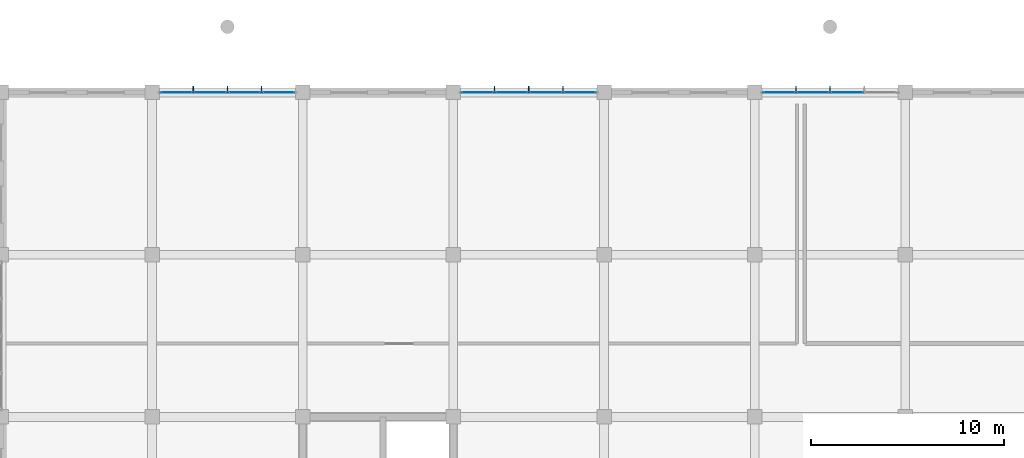
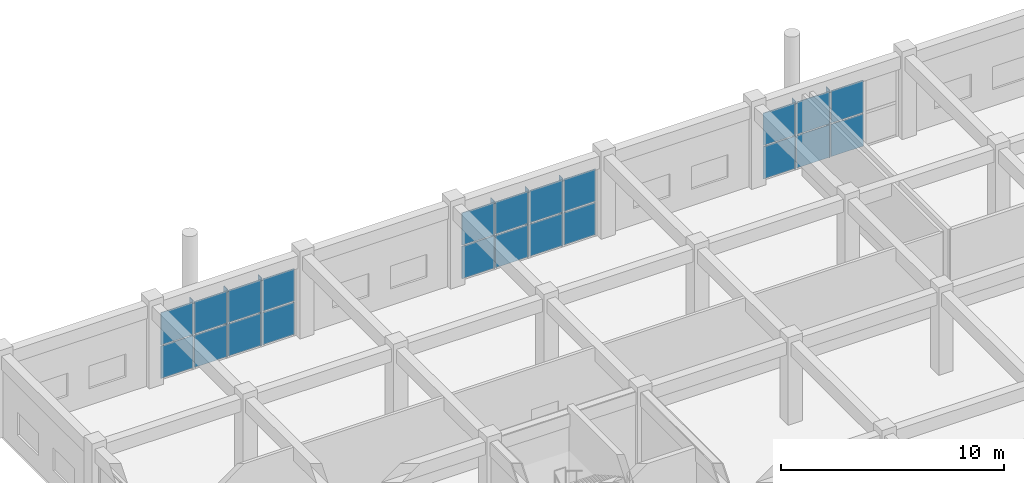
# One storey, part 147 of 167: 30 plates, 3 elements without a shape of their own.
"""IFC4 building model written with IfcOpenShell, lengths in metres."""

from ifc_helpers import new_model, si_unit, direction, frame, origin, origin_2d, place, context, subcontext, project, spatial, polyline, rectangle, outline, extrude, material, layer, layer_set, type_object, element, aggregate, save


model = new_model("IFC4")

# Units and contexts
model_context = context("Model", 3, precision=1e-05, world=origin(), true_north=direction((0.0, 1.0)))
body_context = subcontext(model_context, "Body", "Model", "MODEL_VIEW")
ifc_project = project(units=[si_unit("LENGTHUNIT", "METRE"), si_unit("AREAUNIT", "SQUARE_METRE"), si_unit("VOLUMEUNIT", "CUBIC_METRE"), si_unit("PLANEANGLEUNIT", "RADIAN"), si_unit("MASSUNIT", "GRAM", prefix="KILO")], contexts=[model_context])

# Site, building, storey
site_placement = place(None, origin())
site = spatial("IfcSite", under=ifc_project, at=site_placement, CompositionType="ELEMENT")
building_placement = place(site_placement, origin())
building = spatial("IfcBuilding", under=site, at=building_placement, Name="Zizhar Promenade General Hospital", CompositionType="ELEMENT")
storey_placement = place(building_placement, frame((0.0, 0.0, 9.60009765625)))
storey = spatial("IfcBuildingStorey", under=building, at=storey_placement, Name="L02", CompositionType="ELEMENT", Elevation=9.60009765625)

# Curtain wall, plates
ifc_material_1 = material(Name="Anodised aluminium 6063-T6 and low-E glass", Category="aluminium")
ifc_layer_1 = layer(ifc_material_1, 0.159912109375)
ifc_layer_set_1 = layer_set([ifc_layer_1], Name="Anodised aluminium 6063-T6 and low-E glass")
curtain_wall_type = type_object("IfcCurtainWallType", Name="CW-DT-MOD2", PredefinedType="NOTDEFINED", material=ifc_layer_set_1)
curtain_wall_1_placement = place(storey_placement, origin())
curtain_wall_1 = element("IfcCurtainWall", 1, at=curtain_wall_1_placement, inside=storey, type_object=curtain_wall_type, Name="Surgical North Glazed Curtain Wall L02-7", PredefinedType="NOTDEFINED")
ifc_material_2 = material(Name="Low-E solar-control glass", Category="glass")
ifc_layer_2 = layer(ifc_material_2, 0.031982421875)
ifc_layer_set_2 = layer_set([ifc_layer_2], Name="Low-E solar-control glass")
plate_type_1 = type_object("IfcPlateType", Name="CWP-GLZ-32", PredefinedType="CURTAIN_PANEL", material=ifc_layer_set_2)
plate_1_placement = place(storey_placement, frame((55.864990234375, 134.39990234375, 0.06005859375), z_axis=(0.0, 0.0, 1.0), x_axis=(1.0, 0.0, 0.0)))
plate_1 = element("IfcPlate", 2, at=plate_1_placement, type_object=plate_type_1, Name="CW-08 panel 1.1", PredefinedType="CURTAIN_PANEL", context=body_context, shape_type="SweptSolid", body=[
    extrude(rectangle(XDim=1.64990234375, YDim=0.031982421875, at=origin_2d()), origin(), (0.0, 0.0, 1.0), 1.77490234375),
])
plate_2_placement = place(storey_placement, frame((55.864990234375, 134.39990234375, 1.89501953125), z_axis=(0.0, 0.0, 1.0), x_axis=(1.0, 0.0, 0.0)))
plate_2 = element("IfcPlate", 3, at=plate_2_placement, type_object=plate_type_1, Name="CW-08 panel 1.2", PredefinedType="CURTAIN_PANEL", context=body_context, shape_type="SweptSolid", body=[
    extrude(rectangle(XDim=1.64990234375, YDim=0.031982421875, at=origin_2d()), origin(), (0.0, 0.0, 1.0), 1.77490234375),
])
plate_3_placement = place(storey_placement, frame((57.614990234375, 134.39990234375, 0.06005859375), z_axis=(0.0, 0.0, 1.0), x_axis=(1.0, 0.0, 0.0)))
plate_3 = element("IfcPlate", 4, at=plate_3_placement, type_object=plate_type_1, Name="CW-08 panel 2.1", PredefinedType="CURTAIN_PANEL", context=body_context, shape_type="SweptSolid", body=[
    extrude(rectangle(XDim=1.68994140625, YDim=0.031982421875, at=origin_2d()), origin(), (0.0, 0.0, 1.0), 1.77490234375),
])
plate_4_placement = place(storey_placement, frame((57.614990234375, 134.39990234375, 1.89501953125), z_axis=(0.0, 0.0, 1.0), x_axis=(1.0, 0.0, 0.0)))
plate_4 = element("IfcPlate", 5, at=plate_4_placement, type_object=plate_type_1, Name="CW-08 panel 2.2", PredefinedType="CURTAIN_PANEL", context=body_context, shape_type="SweptSolid", body=[
    extrude(rectangle(XDim=1.68994140625, YDim=0.031982421875, at=origin_2d()), origin(), (0.0, 0.0, 1.0), 1.77490234375),
])
plate_5_placement = place(storey_placement, frame((59.385009765625, 134.39990234375, 0.06005859375), z_axis=(0.0, 0.0, 1.0), x_axis=(1.0, 0.0, 0.0)))
plate_5 = element("IfcPlate", 6, at=plate_5_placement, type_object=plate_type_1, Name="CW-08 panel 3.1", PredefinedType="CURTAIN_PANEL", context=body_context, shape_type="SweptSolid", body=[
    extrude(rectangle(XDim=1.68994140625, YDim=0.031982421875, at=origin_2d()), origin(), (0.0, 0.0, 1.0), 1.77490234375),
])
plate_6_placement = place(storey_placement, frame((59.385009765625, 134.39990234375, 1.89501953125), z_axis=(0.0, 0.0, 1.0), x_axis=(1.0, 0.0, 0.0)))
plate_6 = element("IfcPlate", 7, at=plate_6_placement, type_object=plate_type_1, Name="CW-08 panel 3.2", PredefinedType="CURTAIN_PANEL", context=body_context, shape_type="SweptSolid", body=[
    extrude(rectangle(XDim=1.68994140625, YDim=0.031982421875, at=origin_2d()), origin(), (0.0, 0.0, 1.0), 1.77490234375),
])
plate_7_placement = place(storey_placement, frame((61.135009765625, 134.39990234375, 0.06005859375), z_axis=(0.0, 0.0, 1.0), x_axis=(1.0, 0.0, 0.0)))
plate_7 = element("IfcPlate", 8, at=plate_7_placement, type_object=plate_type_1, Name="CW-08 panel 4.1", PredefinedType="CURTAIN_PANEL", context=body_context, shape_type="SweptSolid", body=[
    extrude(rectangle(XDim=1.64990234375, YDim=0.031982421875, at=origin_2d()), origin(), (0.0, 0.0, 1.0), 1.77490234375),
])
plate_8_placement = place(storey_placement, frame((61.135009765625, 134.39990234375, 1.89501953125), z_axis=(0.0, 0.0, 1.0), x_axis=(1.0, 0.0, 0.0)))
plate_8 = element("IfcPlate", 9, at=plate_8_placement, type_object=plate_type_1, Name="CW-08 panel 4.2", PredefinedType="CURTAIN_PANEL", context=body_context, shape_type="SweptSolid", body=[
    extrude(rectangle(XDim=1.64990234375, YDim=0.031982421875, at=origin_2d()), origin(), (0.0, 0.0, 1.0), 1.77490234375),
])
aggregate(curtain_wall_1, [plate_1, plate_2, plate_3, plate_4, plate_5, plate_6, plate_7, plate_8])

curtain_wall_2_placement = place(storey_placement, origin())
curtain_wall_2 = element("IfcCurtainWall", 10, at=curtain_wall_2_placement, inside=storey, type_object=curtain_wall_type, Name="Surgical North Glazed Curtain Wall L02-9", PredefinedType="NOTDEFINED")
plate_9_placement = place(storey_placement, frame((71.465087890625, 134.39990234375, 0.06005859375), z_axis=(0.0, 0.0, 1.0), x_axis=(1.0, 0.0, 0.0)))
plate_9 = element("IfcPlate", 11, at=plate_9_placement, type_object=plate_type_1, Name="CW-08 panel 1.1", PredefinedType="CURTAIN_PANEL", context=body_context, shape_type="SweptSolid", body=[
    extrude(rectangle(XDim=1.64990234375, YDim=0.031982421875, at=origin_2d()), origin(), (0.0, 0.0, 1.0), 1.77490234375),
])
plate_10_placement = place(storey_placement, frame((71.465087890625, 134.39990234375, 1.89501953125), z_axis=(0.0, 0.0, 1.0), x_axis=(1.0, 0.0, 0.0)))
plate_10 = element("IfcPlate", 12, at=plate_10_placement, type_object=plate_type_1, Name="CW-08 panel 1.2", PredefinedType="CURTAIN_PANEL", context=body_context, shape_type="SweptSolid", body=[
    extrude(rectangle(XDim=1.64990234375, YDim=0.031982421875, at=origin_2d()), origin(), (0.0, 0.0, 1.0), 1.77490234375),
])
plate_11_placement = place(storey_placement, frame((73.215087890625, 134.39990234375, 0.06005859375), z_axis=(0.0, 0.0, 1.0), x_axis=(1.0, 0.0, 0.0)))
plate_11 = element("IfcPlate", 13, at=plate_11_placement, type_object=plate_type_1, Name="CW-08 panel 2.1", PredefinedType="CURTAIN_PANEL", context=body_context, shape_type="SweptSolid", body=[
    extrude(rectangle(XDim=1.68994140625, YDim=0.031982421875, at=origin_2d()), origin(), (0.0, 0.0, 1.0), 1.77490234375),
])
plate_12_placement = place(storey_placement, frame((73.215087890625, 134.39990234375, 1.89501953125), z_axis=(0.0, 0.0, 1.0), x_axis=(1.0, 0.0, 0.0)))
plate_12 = element("IfcPlate", 14, at=plate_12_placement, type_object=plate_type_1, Name="CW-08 panel 2.2", PredefinedType="CURTAIN_PANEL", context=body_context, shape_type="SweptSolid", body=[
    extrude(rectangle(XDim=1.68994140625, YDim=0.031982421875, at=origin_2d()), origin(), (0.0, 0.0, 1.0), 1.77490234375),
])
plate_13_placement = place(storey_placement, frame((74.985107421875, 134.39990234375, 0.06005859375), z_axis=(0.0, 0.0, 1.0), x_axis=(1.0, 0.0, 0.0)))
plate_13 = element("IfcPlate", 15, at=plate_13_placement, type_object=plate_type_1, Name="CW-08 panel 3.1", PredefinedType="CURTAIN_PANEL", context=body_context, shape_type="SweptSolid", body=[
    extrude(rectangle(XDim=1.68994140625, YDim=0.031982421875, at=origin_2d()), origin(), (0.0, 0.0, 1.0), 1.77490234375),
])
plate_14_placement = place(storey_placement, frame((74.985107421875, 134.39990234375, 1.89501953125), z_axis=(0.0, 0.0, 1.0), x_axis=(1.0, 0.0, 0.0)))
plate_14 = element("IfcPlate", 16, at=plate_14_placement, type_object=plate_type_1, Name="CW-08 panel 3.2", PredefinedType="CURTAIN_PANEL", context=body_context, shape_type="SweptSolid", body=[
    extrude(rectangle(XDim=1.68994140625, YDim=0.031982421875, at=origin_2d()), origin(), (0.0, 0.0, 1.0), 1.77490234375),
])
plate_15_placement = place(storey_placement, frame((76.735107421875, 134.39990234375, 0.06005859375), z_axis=(0.0, 0.0, 1.0), x_axis=(1.0, 0.0, 0.0)))
plate_15 = element("IfcPlate", 17, at=plate_15_placement, type_object=plate_type_1, Name="CW-08 panel 4.1", PredefinedType="CURTAIN_PANEL", context=body_context, shape_type="SweptSolid", body=[
    extrude(rectangle(XDim=1.64990234375, YDim=0.031982421875, at=origin_2d()), origin(), (0.0, 0.0, 1.0), 1.77490234375),
])
plate_16_placement = place(storey_placement, frame((76.735107421875, 134.39990234375, 1.89501953125), z_axis=(0.0, 0.0, 1.0), x_axis=(1.0, 0.0, 0.0)))
plate_16 = element("IfcPlate", 18, at=plate_16_placement, type_object=plate_type_1, Name="CW-08 panel 4.2", PredefinedType="CURTAIN_PANEL", context=body_context, shape_type="SweptSolid", body=[
    extrude(rectangle(XDim=1.64990234375, YDim=0.031982421875, at=origin_2d()), origin(), (0.0, 0.0, 1.0), 1.77490234375),
])
aggregate(curtain_wall_2, [plate_9, plate_10, plate_11, plate_12, plate_13, plate_14, plate_15, plate_16])

curtain_wall_3_placement = place(storey_placement, origin())
curtain_wall_3 = element("IfcCurtainWall", 19, at=curtain_wall_3_placement, inside=storey, type_object=curtain_wall_type, Name="Surgical North Glazed Curtain Wall L02-11", PredefinedType="NOTDEFINED")
plate_17_placement = place(storey_placement, frame((87.06494140625, 134.39990234375, 0.06005859375), z_axis=(0.0, 0.0, 1.0), x_axis=(1.0, 0.0, 0.0)))
plate_17 = element("IfcPlate", 20, at=plate_17_placement, type_object=plate_type_1, Name="CW-08 panel 1.1", PredefinedType="CURTAIN_PANEL", context=body_context, shape_type="SweptSolid", body=[
    extrude(rectangle(XDim=1.64990234375, YDim=0.031982421875, at=origin_2d()), origin(), (0.0, 0.0, 1.0), 1.77490234375),
])
plate_18_placement = place(storey_placement, frame((87.06494140625, 134.39990234375, 1.89501953125), z_axis=(0.0, 0.0, 1.0), x_axis=(1.0, 0.0, 0.0)))
plate_18 = element("IfcPlate", 21, at=plate_18_placement, type_object=plate_type_1, Name="CW-08 panel 1.2", PredefinedType="CURTAIN_PANEL", context=body_context, shape_type="SweptSolid", body=[
    extrude(rectangle(XDim=1.64990234375, YDim=0.031982421875, at=origin_2d()), origin(), (0.0, 0.0, 1.0), 1.77490234375),
])
plate_19_placement = place(storey_placement, frame((88.81494140625, 134.39990234375, 0.06005859375), z_axis=(0.0, 0.0, 1.0), x_axis=(1.0, 0.0, 0.0)))
plate_19 = element("IfcPlate", 22, at=plate_19_placement, type_object=plate_type_1, Name="CW-08 panel 2.1", PredefinedType="CURTAIN_PANEL", context=body_context, shape_type="SweptSolid", body=[
    extrude(rectangle(XDim=1.68994140625, YDim=0.031982421875, at=origin_2d()), origin(), (0.0, 0.0, 1.0), 1.77490234375),
])
plate_20_placement = place(storey_placement, frame((88.81494140625, 134.39990234375, 1.89501953125), z_axis=(0.0, 0.0, 1.0), x_axis=(1.0, 0.0, 0.0)))
plate_20 = element("IfcPlate", 23, at=plate_20_placement, type_object=plate_type_1, Name="CW-08 panel 2.2", PredefinedType="CURTAIN_PANEL", context=body_context, shape_type="SweptSolid", body=[
    extrude(rectangle(XDim=1.68994140625, YDim=0.031982421875, at=origin_2d()), origin(), (0.0, 0.0, 1.0), 1.77490234375),
])
plate_21_placement = place(storey_placement, frame((90.5849609375, 134.39990234375, 0.06005859375), z_axis=(0.0, 0.0, 1.0), x_axis=(1.0, 0.0, 0.0)))
plate_21 = element("IfcPlate", 24, at=plate_21_placement, type_object=plate_type_1, Name="CW-08 panel 3.1", PredefinedType="CURTAIN_PANEL", context=body_context, shape_type="SweptSolid", body=[
    extrude(rectangle(XDim=1.68994140625, YDim=0.031982421875, at=origin_2d()), origin(), (0.0, 0.0, 1.0), 1.77490234375),
])
plate_22_placement = place(storey_placement, frame((90.5849609375, 134.39990234375, 1.89501953125), z_axis=(0.0, 0.0, 1.0), x_axis=(1.0, 0.0, 0.0)))
plate_22 = element("IfcPlate", 25, at=plate_22_placement, type_object=plate_type_1, Name="CW-08 panel 3.2", PredefinedType="CURTAIN_PANEL", context=body_context, shape_type="SweptSolid", body=[
    extrude(rectangle(XDim=1.68994140625, YDim=0.031982421875, at=origin_2d()), origin(), (0.0, 0.0, 1.0), 1.77490234375),
])
aggregate(curtain_wall_3, [plate_17, plate_18, plate_19, plate_20, plate_21, plate_22])

# Plates
ifc_material_3 = material(Name="Anodised aluminium 6063-T6", Category="aluminium")
ifc_layer_3 = layer(ifc_material_3, 0.033935546875)
ifc_layer_set_3 = layer_set([ifc_layer_3], Name="Anodised aluminium 6063-T6")
plate_type_2 = type_object("IfcPlateType", Name="FIN-ALU-320", PredefinedType="USERDEFINED", material=ifc_layer_set_3)
plate_23_placement = place(storey_placement, origin())
element("IfcPlate", 26, at=plate_23_placement, inside=storey, type_object=plate_type_2, Name="Surgical North Glazed Curtain Wall L02-7 Solar Fin 1", ObjectType="SOLAR_SHADE", PredefinedType="USERDEFINED", context=body_context, shape_type="SweptSolid", body=[
    extrude(outline(polyline([(56.712890625, 134.39990234375), (56.7470703125, 134.39990234375), (56.7470703125, 134.719970703125), (56.712890625, 134.719970703125), (56.712890625, 134.39990234375)])), origin(), (0.0, 0.0, 1.0), 3.72998046875),
])
plate_24_placement = place(storey_placement, origin())
element("IfcPlate", 27, at=plate_24_placement, inside=storey, type_object=plate_type_2, Name="Surgical North Glazed Curtain Wall L02-7 Solar Fin 2", ObjectType="SOLAR_SHADE", PredefinedType="USERDEFINED", context=body_context, shape_type="SweptSolid", body=[
    extrude(outline(polyline([(58.48291015625, 134.39990234375), (58.51708984375, 134.39990234375), (58.51708984375, 134.719970703125), (58.48291015625, 134.719970703125), (58.48291015625, 134.39990234375)])), origin(), (0.0, 0.0, 1.0), 3.72998046875),
])
plate_25_placement = place(storey_placement, origin())
element("IfcPlate", 28, at=plate_25_placement, inside=storey, type_object=plate_type_2, Name="Surgical North Glazed Curtain Wall L02-7 Solar Fin 3", ObjectType="SOLAR_SHADE", PredefinedType="USERDEFINED", context=body_context, shape_type="SweptSolid", body=[
    extrude(outline(polyline([(60.2529296875, 134.39990234375), (60.287109375, 134.39990234375), (60.287109375, 134.719970703125), (60.2529296875, 134.719970703125), (60.2529296875, 134.39990234375)])), origin(), (0.0, 0.0, 1.0), 3.72998046875),
])
plate_26_placement = place(storey_placement, origin())
element("IfcPlate", 29, at=plate_26_placement, inside=storey, type_object=plate_type_2, Name="Surgical North Glazed Curtain Wall L02-9 Solar Fin 1", ObjectType="SOLAR_SHADE", PredefinedType="USERDEFINED", context=body_context, shape_type="SweptSolid", body=[
    extrude(outline(polyline([(72.31298828125, 134.39990234375), (72.346923828125, 134.39990234375), (72.346923828125, 134.719970703125), (72.31298828125, 134.719970703125), (72.31298828125, 134.39990234375)])), origin(), (0.0, 0.0, 1.0), 3.72998046875),
])
plate_27_placement = place(storey_placement, origin())
element("IfcPlate", 30, at=plate_27_placement, inside=storey, type_object=plate_type_2, Name="Surgical North Glazed Curtain Wall L02-9 Solar Fin 2", ObjectType="SOLAR_SHADE", PredefinedType="USERDEFINED", context=body_context, shape_type="SweptSolid", body=[
    extrude(outline(polyline([(74.0830078125, 134.39990234375), (74.116943359375, 134.39990234375), (74.116943359375, 134.719970703125), (74.0830078125, 134.719970703125), (74.0830078125, 134.39990234375)])), origin(), (0.0, 0.0, 1.0), 3.72998046875),
])
plate_28_placement = place(storey_placement, origin())
element("IfcPlate", 31, at=plate_28_placement, inside=storey, type_object=plate_type_2, Name="Surgical North Glazed Curtain Wall L02-9 Solar Fin 3", ObjectType="SOLAR_SHADE", PredefinedType="USERDEFINED", context=body_context, shape_type="SweptSolid", body=[
    extrude(outline(polyline([(75.85302734375, 134.39990234375), (75.886962890625, 134.39990234375), (75.886962890625, 134.719970703125), (75.85302734375, 134.719970703125), (75.85302734375, 134.39990234375)])), origin(), (0.0, 0.0, 1.0), 3.72998046875),
])
plate_29_placement = place(storey_placement, origin())
element("IfcPlate", 32, at=plate_29_placement, inside=storey, type_object=plate_type_2, Name="Surgical North Glazed Curtain Wall L02-11 Solar Fin 1", ObjectType="SOLAR_SHADE", PredefinedType="USERDEFINED", context=body_context, shape_type="SweptSolid", body=[
    extrude(outline(polyline([(87.9130859375, 134.39990234375), (87.947021484375, 134.39990234375), (87.947021484375, 134.719970703125), (87.9130859375, 134.719970703125), (87.9130859375, 134.39990234375)])), origin(), (0.0, 0.0, 1.0), 3.72998046875),
])
plate_30_placement = place(storey_placement, origin())
element("IfcPlate", 33, at=plate_30_placement, inside=storey, type_object=plate_type_2, Name="Surgical North Glazed Curtain Wall L02-11 Solar Fin 2", ObjectType="SOLAR_SHADE", PredefinedType="USERDEFINED", context=body_context, shape_type="SweptSolid", body=[
    extrude(outline(polyline([(89.68310546875, 134.39990234375), (89.717041015625, 134.39990234375), (89.717041015625, 134.719970703125), (89.68310546875, 134.719970703125), (89.68310546875, 134.39990234375)])), origin(), (0.0, 0.0, 1.0), 3.72998046875),
])

save(model, "model.ifc")
